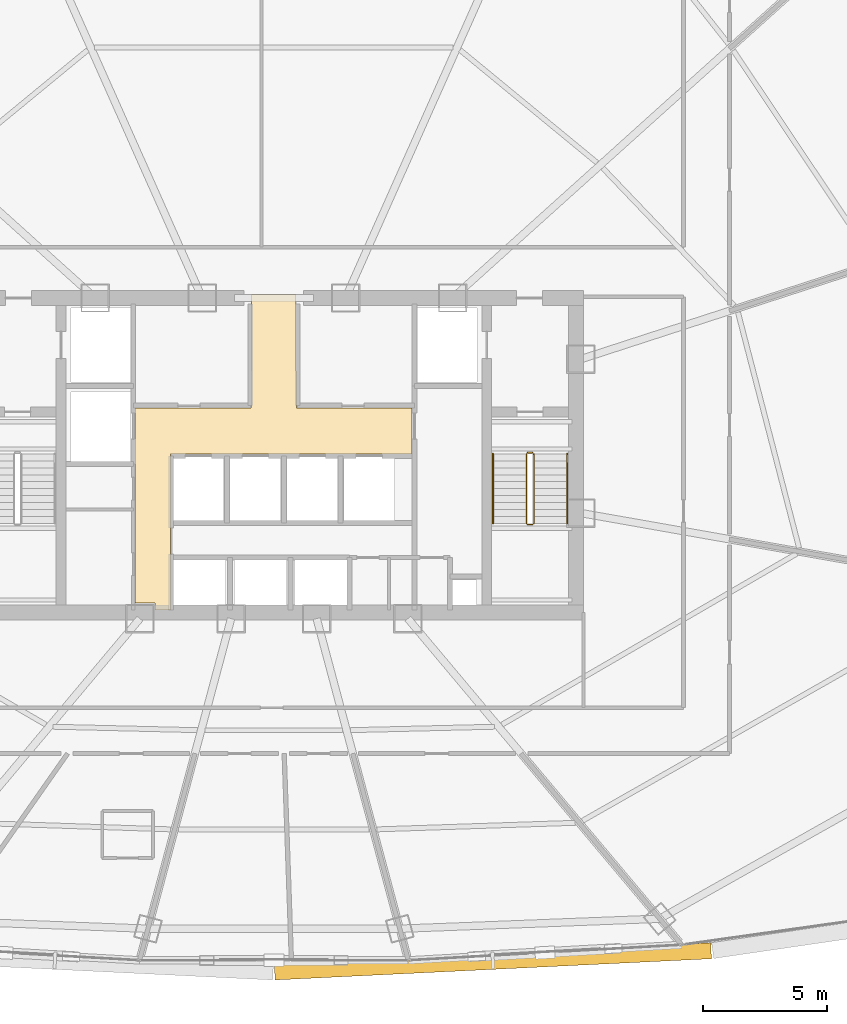
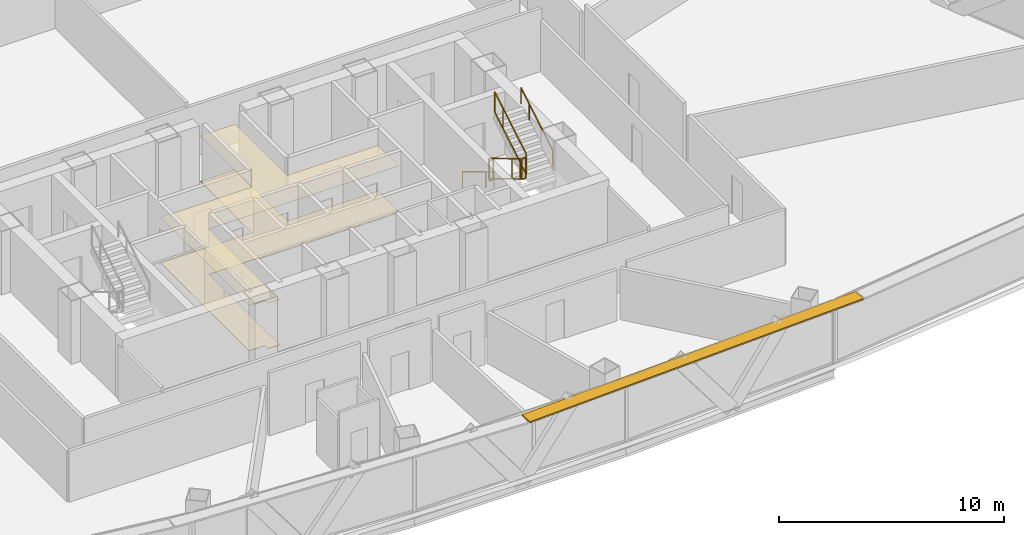
# One storey, part 40 of 42: 6 railings, 2 coverings, 1 shading device.
"""IFC4 building model written with IfcOpenShell, lengths in metres."""

from ifc_helpers import new_model, si_unit, direction, frame, origin, origin_2d, place, context, subcontext, project, spatial, polyline, rectangle, outline, extrude, source, transform, mapped, material, layer, layer_set, type_object, element, save


model = new_model("IFC4")

# Units and contexts
model_context = context("Model", 3, precision=1e-05, world=origin(), true_north=direction((0.0, 1.0)))
body_context = subcontext(model_context, "Body", "Model", "MODEL_VIEW")
ifc_project = project(units=[si_unit("LENGTHUNIT", "METRE"), si_unit("AREAUNIT", "SQUARE_METRE"), si_unit("VOLUMEUNIT", "CUBIC_METRE"), si_unit("PLANEANGLEUNIT", "RADIAN"), si_unit("MASSUNIT", "GRAM", prefix="KILO"), si_unit("THERMODYNAMICTEMPERATUREUNIT", "KELVIN"), si_unit("POWERUNIT", "WATT")], contexts=[model_context])

# Site, building, storey
site_placement = place(None, origin())
site = spatial("IfcSite", under=ifc_project, at=site_placement, CompositionType="ELEMENT")
building_placement = place(site_placement, origin())
building = spatial("IfcBuilding", under=site, at=building_placement, Name="Yunzhuo Pagoda Commons", CompositionType="ELEMENT")
storey_placement = place(building_placement, frame((0.0, 0.0, 151.909912109375)))
storey = spatial("IfcBuildingStorey", under=building, at=storey_placement, Name="L38", CompositionType="ELEMENT", Elevation=151.909912109375)

# Coverings
ifc_material_1 = material(Name="Perforated gypsum acoustic ceiling tile")
ifc_layer_1 = layer(ifc_material_1, 0.030029296875)
ifc_layer_set_1 = layer_set([ifc_layer_1], Name="Perforated gypsum acoustic ceiling tile")
covering_type_1 = type_object("IfcCoveringType", Name="COV-CL2 Ceiling 30", PredefinedType="CEILING", material=ifc_layer_set_1)
covering_1_placement = place(storey_placement, frame((0.0, 0.0, 2.469970703125)))
element("IfcCovering", 1, at=covering_1_placement, inside=storey, type_object=covering_type_1, Name="L38 lift lobby acoustic ceiling", PredefinedType="CEILING", context=body_context, shape_type="SweptSolid", body=[
    extrude(outline(polyline([(42.39990234375, 35.75), (47.080078125, 35.75), (47.080078125, 37.25), (47.10009765625, 37.25), (47.10009765625, 40.35009765625), (48.89990234375, 40.35009765625), (48.89990234375, 37.25), (48.919921875, 37.25), (48.919921875, 35.75), (53.580078125, 35.75), (53.580078125, 33.89990234375), (43.820068359375, 33.89990234375), (43.820068359375, 27.60009765625), (43.207763671875, 27.60009765625), (43.207763671875, 27.85009765625), (43.201904296875, 27.864013671875), (43.187744140625, 27.8701171875), (42.39990234375, 27.8701171875), (42.39990234375, 33.89990234375), (42.39990234375, 35.75)])), origin(), (0.0, 0.0, 1.0), 0.030029296875),
])
ifc_material_2 = material(Name="Porcelain ceramic floor tile")
ifc_layer_2 = layer(ifc_material_2, 0.02001953125)
ifc_layer_set_2 = layer_set([ifc_layer_2], Name="Porcelain ceramic floor tile")
covering_type_2 = type_object("IfcCoveringType", Name="COV-FL1 Flooring 20", PredefinedType="FLOORING", material=ifc_layer_set_2)
covering_2_placement = place(storey_placement, origin())
element("IfcCovering", 2, at=covering_2_placement, inside=storey, type_object=covering_type_2, Name="L38 lift lobby flooring", PredefinedType="FLOORING", context=body_context, shape_type="SweptSolid", body=[
    extrude(outline(polyline([(42.39990234375, 35.75), (47.080078125, 35.75), (47.080078125, 37.25), (47.10009765625, 37.25), (47.10009765625, 40.35009765625), (48.89990234375, 40.35009765625), (48.89990234375, 37.25), (48.919921875, 37.25), (48.919921875, 35.75), (53.580078125, 35.75), (53.580078125, 33.89990234375), (43.820068359375, 33.89990234375), (43.820068359375, 27.60009765625), (43.207763671875, 27.60009765625), (43.207763671875, 27.85009765625), (43.201904296875, 27.864013671875), (43.187744140625, 27.8701171875), (42.39990234375, 27.8701171875), (42.39990234375, 33.89990234375), (42.39990234375, 35.75)])), origin(), (0.0, 0.0, 1.0), 0.02001953125),
])

# Railings
ifc_material_3 = material(Name="Anodized aluminium 6063-T6", Category="aluminium")
railing_type_1 = type_object("IfcRailingType", Name="GR-ST2 Stair Well Guardrail 1160", PredefinedType="GUARDRAIL", material=ifc_material_3)
railing_1_placement = place(storey_placement, frame((58.199951171875, 33.89990234375, 0.16748046875)))
element("IfcRailing", 3, at=railing_1_placement, inside=storey, type_object=railing_type_1, Name="L38 ST2 stair guard 1", PredefinedType="GUARDRAIL", context=body_context, shape_type="SweptSolid", body=[
    extrude(rectangle(XDim=0.048095703125, YDim=0.048095703125, at=origin_2d()), frame((0.0, 0.0, 1.1259765625), z_axis=(0.0, -0.858475523978, 0.512854535645), x_axis=(1.0, 0.0, 0.0)), (0.0, 0.0, 1.0), 3.261474609375),
    extrude(rectangle(XDim=0.048095703125, YDim=0.048095703125, at=origin_2d()), frame((0.0, 0.0, 0.02392578125), z_axis=(0.0, -0.858475523978, 0.512854535645), x_axis=(1.0, 0.0, 0.0)), (0.0, 0.0, 1.0), 3.261474609375),
    extrude(rectangle(XDim=0.0419921875, YDim=0.0419921875, at=origin_2d()), origin(), (0.0, 0.0, 1.0), 1.101806640625),
    extrude(rectangle(XDim=0.0419921875, YDim=0.0419921875, at=origin_2d()), frame((0.0, -2.060302734375, 1.23095703125)), (0.0, 0.0, 1.0), 1.101806640625),
    extrude(rectangle(XDim=0.0419921875, YDim=0.0419921875, at=origin_2d()), frame((0.0, -2.7998046875, 1.672607421875)), (0.0, 0.0, 1.0), 1.101806640625),
])
railing_2_placement = place(storey_placement, frame((58.25, 31.050048828125, 1.840087890625)))
element("IfcRailing", 4, at=railing_2_placement, inside=storey, type_object=railing_type_1, Name="L38 ST2 stair guard 2", PredefinedType="GUARDRAIL", context=body_context, shape_type="SweptSolid", body=[
    extrude(rectangle(XDim=0.048095703125, YDim=0.048095703125, at=origin_2d()), frame((0.0, 0.0, 1.1259765625), z_axis=(1.0, 0.0, 0.0), x_axis=(0.0, 1.0, 0.0)), (0.0, 0.0, 1.0), 0.199951171875),
    extrude(rectangle(XDim=0.048095703125, YDim=0.048095703125, at=origin_2d()), frame((0.0, 0.0, 0.02392578125), z_axis=(1.0, 0.0, 0.0), x_axis=(0.0, 1.0, 0.0)), (0.0, 0.0, 1.0), 0.199951171875),
    extrude(rectangle(XDim=0.0419921875, YDim=0.0419921875, at=origin_2d()), origin(), (0.0, 0.0, 1.0), 1.101806640625),
    extrude(rectangle(XDim=0.0419921875, YDim=0.0419921875, at=origin_2d()), frame((0.199951171875, 0.0, 0.0)), (0.0, 0.0, 1.0), 1.101806640625),
])
railing_3_placement = place(storey_placement, frame((58.5, 31.10009765625, 2.00732421875)))
element("IfcRailing", 5, at=railing_3_placement, inside=storey, type_object=railing_type_1, Name="L38 ST2 stair guard 3", PredefinedType="GUARDRAIL", context=body_context, shape_type="SweptSolid", body=[
    extrude(rectangle(XDim=0.048095703125, YDim=0.048095703125, at=origin_2d()), frame((0.0, 0.0, 1.1259765625), z_axis=(0.0, 0.858442565357, 0.512909701589), x_axis=(-1.0, 0.0, 0.0)), (0.0, 0.0, 1.0), 3.261474609375),
    extrude(rectangle(XDim=0.048095703125, YDim=0.048095703125, at=origin_2d()), frame((0.0, 0.0, 0.02392578125), z_axis=(0.0, 0.858442565357, 0.512909701589), x_axis=(-1.0, 0.0, 0.0)), (0.0, 0.0, 1.0), 3.261474609375),
    extrude(rectangle(XDim=0.0419921875, YDim=0.0419921875, at=origin_2d()), origin(), (0.0, 0.0, 1.0), 1.101806640625),
    extrude(rectangle(XDim=0.0419921875, YDim=0.0419921875, at=origin_2d()), frame((0.0, 2.060302734375, 1.23095703125)), (0.0, 0.0, 1.0), 1.101806640625),
    extrude(rectangle(XDim=0.0419921875, YDim=0.0419921875, at=origin_2d()), frame((0.0, 2.7998046875, 1.6728515625)), (0.0, 0.0, 1.0), 1.101806640625),
])
railing_4_placement = place(storey_placement, frame((58.25, 33.949951171875, 0.0)))
element("IfcRailing", 6, at=railing_4_placement, inside=storey, type_object=railing_type_1, Name="L38 ST2 stair guard 4", PredefinedType="GUARDRAIL", context=body_context, shape_type="SweptSolid", body=[
    extrude(rectangle(XDim=0.048095703125, YDim=0.048095703125, at=origin_2d()), frame((0.0, 0.0, 1.1259765625), z_axis=(1.0, 0.0, 0.0), x_axis=(0.0, 1.0, 0.0)), (0.0, 0.0, 1.0), 0.199951171875),
    extrude(rectangle(XDim=0.048095703125, YDim=0.048095703125, at=origin_2d()), frame((0.0, 0.0, 0.02392578125), z_axis=(1.0, 0.0, 0.0), x_axis=(0.0, 1.0, 0.0)), (0.0, 0.0, 1.0), 0.199951171875),
    extrude(rectangle(XDim=0.0419921875, YDim=0.0419921875, at=origin_2d()), origin(), (0.0, 0.0, 1.0), 1.101806640625),
    extrude(rectangle(XDim=0.0419921875, YDim=0.0419921875, at=origin_2d()), frame((0.199951171875, 0.0, 0.0)), (0.0, 0.0, 1.0), 1.101806640625),
])
railing_type_2 = type_object("IfcRailingType", Name="HR-ST2 Stair Handrail 900", PredefinedType="HANDRAIL", material=ifc_material_3)
railing_5_placement = place(storey_placement, frame((56.85009765625, 33.89990234375, 0.16748046875)))
element("IfcRailing", 7, at=railing_5_placement, inside=storey, type_object=railing_type_2, Name="L38 ST2 stair handrail 1", PredefinedType="HANDRAIL", context=body_context, shape_type="SweptSolid", body=[
    extrude(rectangle(XDim=0.048095703125, YDim=0.048095703125, at=origin_2d()), frame((0.0, 0.0, 0.8759765625), z_axis=(0.0, -0.858475523978, 0.512854535645), x_axis=(1.0, 0.0, 0.0)), (0.0, 0.0, 1.0), 3.261474609375),
    extrude(rectangle(XDim=0.0419921875, YDim=0.0419921875, at=origin_2d()), origin(), (0.0, 0.0, 1.0), 0.851806640625),
    extrude(rectangle(XDim=0.0419921875, YDim=0.0419921875, at=origin_2d()), frame((0.0, -2.060302734375, 1.23095703125)), (0.0, 0.0, 1.0), 0.851806640625),
    extrude(rectangle(XDim=0.0419921875, YDim=0.0419921875, at=origin_2d()), frame((0.0, -2.7998046875, 1.672607421875)), (0.0, 0.0, 1.0), 0.851806640625),
])
railing_6_placement = place(storey_placement, frame((59.85009765625, 31.10009765625, 2.00732421875)))
element("IfcRailing", 8, at=railing_6_placement, inside=storey, type_object=railing_type_2, Name="L38 ST2 stair handrail 2", PredefinedType="HANDRAIL", context=body_context, shape_type="SweptSolid", body=[
    extrude(rectangle(XDim=0.048095703125, YDim=0.048095703125, at=origin_2d()), frame((0.0, 0.0, 0.8759765625), z_axis=(0.0, 0.858442565357, 0.512909701589), x_axis=(-1.0, 0.0, 0.0)), (0.0, 0.0, 1.0), 3.261474609375),
    extrude(rectangle(XDim=0.0419921875, YDim=0.0419921875, at=origin_2d()), origin(), (0.0, 0.0, 1.0), 0.851806640625),
    extrude(rectangle(XDim=0.0419921875, YDim=0.0419921875, at=origin_2d()), frame((0.0, 2.060302734375, 1.23095703125)), (0.0, 0.0, 1.0), 0.851806640625),
    extrude(rectangle(XDim=0.0419921875, YDim=0.0419921875, at=origin_2d()), frame((0.0, 2.7998046875, 1.6728515625)), (0.0, 0.0, 1.0), 0.851806640625),
])

# Shading device
ifc_layer_3 = layer(ifc_material_3, 0.080078125)
ifc_layer_set_3 = layer_set([ifc_layer_3], Name="Anodized aluminium 6063-T6")
shading_device_type = type_object("IfcShadingDeviceType", Name="SH-SUN1 Pagoda Horizontal Sunshade Eave 650", PredefinedType="USERDEFINED", material=ifc_layer_set_3)
shared_shape = source(origin(), body_context, "Body", "SweptSolid", [
    extrude(rectangle(XDim=17.64990234375, YDim=0.64990234375, at=origin_2d()), origin(), (0.0, 0.0, 1.0), 0.080078125),
])
shading_device_placement = place(storey_placement, frame((56.84619140625, 13.40478515625, 3.340087890625), z_axis=(0.0, 0.0, 1.0), x_axis=(0.998818043775, 0.04860571396, 0.0)))
element("IfcShadingDevice", 9, at=shading_device_placement, inside=storey, type_object=shading_device_type, Name="L38 horizontal pagoda sunshade eave F1.3", ObjectType="SUNSHADE", PredefinedType="USERDEFINED", context=body_context, shape_type="MappedRepresentation", body=[
    mapped(shared_shape, transform((0.0, 0.0, 0.0), scale=1.0)),
])

save(model, "model.ifc")
